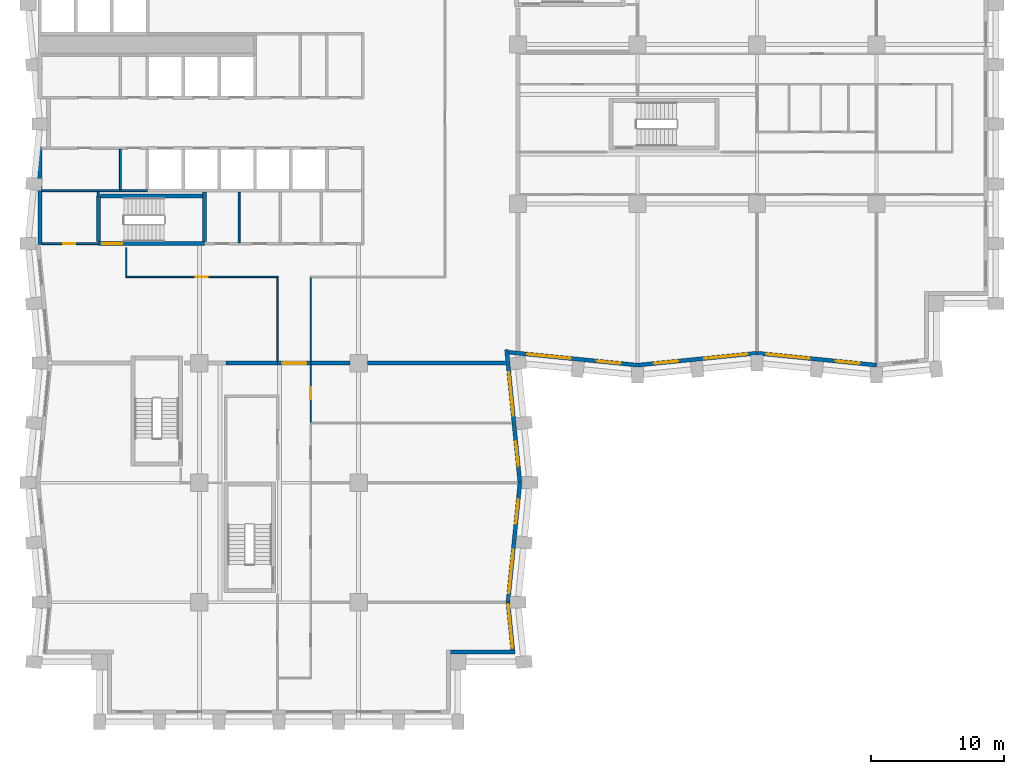
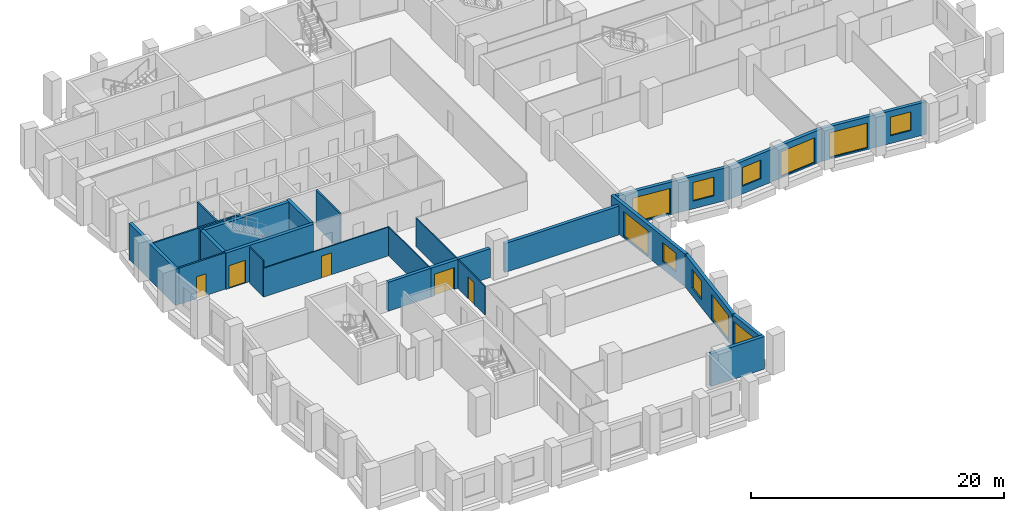
# One storey, part 4 of 11: 26 walls, 11 windows, 5 doors, 16 openings.
"""IFC4 building model written with IfcOpenShell, lengths in metres."""

import ifcopenshell
import ifcopenshell.guid

model = None  # the IFC model being written
_history = None  # IfcOwnerHistory: only IFC2X3 demands one
_inside = {}  # id of a spatial element -> (the spatial element, [elements in it])
_under = {}  # id of a project, library or spatial element -> (it, [spatial elements below it])
_declared = {}  # id of a project -> (the project, [libraries it declares])
_typed = {}  # id of a type object -> (the type object, [elements of that type])
_made_of = {}  # id of a material, layer set ... -> (it, [elements and type objects made of it])


def new_model(schema):
    """Start an empty IFC model of exactly this schema.

    Asked for "IFC4X3", IfcOpenShell would pick the latest addendum, in which some entities
    have other attributes; the version numbers below select the first issue.
    IFC2X3 requires an IfcOwnerHistory on every rooted entity: one is made here for all.
    """
    global model, _history
    if schema == "IFC4X3":
        model = ifcopenshell.file(schema_version=(4, 3, 0, 0))
    else:
        model = ifcopenshell.file(schema=schema)
    _inside.clear()
    _under.clear()
    _declared.clear()
    _typed.clear()
    _made_of.clear()
    _history = None
    if model.schema == "IFC2X3":
        org = make("IfcOrganization", Name="unknown")
        user = make(
            "IfcPersonAndOrganization",
            ThePerson=make("IfcPerson", FamilyName="unknown"),
            TheOrganization=org,
        )
        app = make(
            "IfcApplication",
            ApplicationDeveloper=org,
            Version="unknown",
            ApplicationFullName="unknown",
            ApplicationIdentifier="unknown",
        )
        _history = make(
            "IfcOwnerHistory",
            OwningUser=user,
            OwningApplication=app,
            ChangeAction="ADDED",
            CreationDate=0,
        )
    return model


def make(cls, **values):
    """One entity of the class cls with the attributes given. An attribute that is None is left unset."""
    return model.create_entity(
        cls, **{name: value for name, value in values.items() if value is not None}
    )


def rooted(cls, **values):
    """An entity with a GlobalId (a new one), such as an element, a storey or a relation."""
    return make(cls, GlobalId=ifcopenshell.guid.new(), OwnerHistory=_history, **values)


def si_unit(unit_type, name, prefix=None):
    """IfcSIUnit, for example si_unit("LENGTHUNIT", "METRE", prefix="MILLI")."""
    return make("IfcSIUnit", UnitType=unit_type, Prefix=prefix, Name=name)


def assignment(units):
    """IfcUnitAssignment: the units of a project."""
    return None if units is None else make("IfcUnitAssignment", Units=units)


def point(xyz):
    """IfcCartesianPoint."""
    return None if xyz is None else make("IfcCartesianPoint", Coordinates=xyz)


def direction(xyz):
    """IfcDirection."""
    return None if xyz is None else make("IfcDirection", DirectionRatios=xyz)


def frame(location, z_axis=None, x_axis=None):
    """IfcAxis2Placement3D, a coordinate frame: its origin and axes. An axis left out is left unset."""
    return make(
        "IfcAxis2Placement3D",
        Location=point(location),
        Axis=direction(z_axis),
        RefDirection=direction(x_axis),
    )


def frame_2d(location, x_axis=None):
    """IfcAxis2Placement2D, a coordinate frame in the plane: its origin and x axis."""
    return make(
        "IfcAxis2Placement2D", Location=point(location), RefDirection=direction(x_axis)
    )


def origin():
    """The frame at (0, 0, 0) with its axes left unset."""
    return frame((0.0, 0.0, 0.0))


def place(relative_to, where):
    """IfcLocalPlacement: puts the frame where relative to a parent placement (None: the world)."""
    return make(
        "IfcLocalPlacement", PlacementRelTo=relative_to, RelativePlacement=where
    )


def context(
    kind, dimensions, precision=None, world=None, true_north=None, identifier=None
):
    """IfcGeometricRepresentationContext, for example the 3D "Model" context."""
    return make(
        "IfcGeometricRepresentationContext",
        ContextIdentifier=identifier,
        ContextType=kind,
        CoordinateSpaceDimension=dimensions,
        Precision=precision,
        WorldCoordinateSystem=world,
        TrueNorth=true_north,
    )


def subcontext(parent, identifier, kind, view, scale=None):
    """IfcGeometricRepresentationSubContext, for example "Body" below "Model"."""
    return make(
        "IfcGeometricRepresentationSubContext",
        ContextIdentifier=identifier,
        ContextType=kind,
        ParentContext=parent,
        TargetScale=scale,
        TargetView=view,
    )


def project(units=None, contexts=None):
    """IfcProject with its units and contexts."""
    return rooted(
        "IfcProject",
        Name="project",
        RepresentationContexts=contexts,
        UnitsInContext=assignment(units),
    )


def spatial(cls, under=None, at=None, **own):
    """A site, building, storey or space (cls), placed at a placement, below another one or the project."""
    s = rooted(cls, ObjectPlacement=at, **own)
    if under is not None:
        _under.setdefault(under.id(), (under, []))[1].append(s)
    return s


def profile(cls, at=None, kind="AREA", **sizes):
    """A parametric profile (cls). Its sizes go by their IFC names, for example OverallWidth=200.0."""
    return make(cls, ProfileType=kind, Position=at, **sizes)


def rectangle(**sizes):
    """IfcRectangleProfileDef."""
    return profile("IfcRectangleProfileDef", **sizes)


def extrude(swept, where, along, depth):
    """IfcExtrudedAreaSolid: the profile swept, set in the frame where, extruded along a direction by depth."""
    return make(
        "IfcExtrudedAreaSolid",
        SweptArea=swept,
        Position=where,
        ExtrudedDirection=direction(along),
        Depth=depth,
    )


def shape(context_of_items, identifier, shape_type, items):
    """IfcShapeRepresentation: the items that make up one representation, for example the "Body"."""
    return make(
        "IfcShapeRepresentation",
        ContextOfItems=context_of_items,
        RepresentationIdentifier=identifier,
        RepresentationType=shape_type,
        Items=items,
    )


def material(Name=None, Category=None):
    """IfcMaterial."""
    return make("IfcMaterial", Name=Name, Category=Category)


def layer(
    of_material, thickness, ventilated=None, Name=None, Category=None, Priority=None
):
    """IfcMaterialLayer: one layer of a wall or slab, of a material (None: an air gap)."""
    return make(
        "IfcMaterialLayer",
        Material=of_material,
        LayerThickness=thickness,
        IsVentilated=ventilated,
        Name=Name,
        Category=Category,
        Priority=Priority,
    )


def layer_set(layers, Name=None):
    """IfcMaterialLayerSet."""
    return make("IfcMaterialLayerSet", MaterialLayers=layers, LayerSetName=Name)


def made_of(thing, what):
    """Note that an element or type object is made of a material, layer set ...; save() writes the relation."""
    if what is not None:
        _made_of.setdefault(what.id(), (what, []))[1].append(thing)
    return thing


def type_object(cls, material=None, **own):
    """A type object (cls), such as IfcWallType, which elements share."""
    return made_of(rooted(cls, **own), material)


def element(
    cls,
    number,
    at=None,
    inside=None,
    cuts=None,
    type_object=None,
    material=None,
    context=None,
    identifier="Body",
    shape_type=None,
    held_by="IfcProductDefinitionShape",
    body=None,
    shapes=None,
    **own,
):
    """One element of the class cls, such as IfcWall. Its Tag is "e" and its number.

    at: its placement. inside: the storey or other place that contains it. cuts: it is an
    opening in that element (IfcRelVoidsElement). A single representation is given by context,
    identifier, shape_type and body (its items); several are given by shapes. held_by: the class
    of the entity that holds the representations. save() writes the other relations.
    """
    e = rooted(cls, Tag="e%d" % number, ObjectPlacement=at, **own)
    if body is not None:
        shapes = [shape(context, identifier, shape_type, body)]
    if shapes is not None:
        e.Representation = make(held_by, Representations=shapes)
    if inside is not None:
        _inside.setdefault(inside.id(), (inside, []))[1].append(e)
    if cuts is not None:
        rooted(
            "IfcRelVoidsElement", RelatingBuildingElement=cuts, RelatedOpeningElement=e
        )
    if type_object is not None:
        _typed.setdefault(type_object.id(), (type_object, []))[1].append(e)
    return made_of(e, material)


def fill(opening, filler):
    """IfcRelFillsElement: the door or window that sits in an opening."""
    return rooted(
        "IfcRelFillsElement",
        RelatingOpeningElement=opening,
        RelatedBuildingElement=filler,
    )


def aggregate(whole, parts):
    """IfcRelAggregates: a whole, such as a stair, and the parts it consists of."""
    return rooted("IfcRelAggregates", RelatingObject=whole, RelatedObjects=parts)


def save(model, path):
    """Write the relations noted so far, then the file.

    IfcRelAggregates (storeys below a building ...), IfcRelContainedInSpatialStructure (elements
    in a storey), IfcRelDefinesByType, IfcRelAssociatesMaterial and IfcRelDeclares: one each for
    every whole, place, type object, material and project.
    """
    for whole, parts in _under.values():
        aggregate(whole, parts)
    for where, things in _inside.values():
        rooted(
            "IfcRelContainedInSpatialStructure",
            RelatedElements=things,
            RelatingStructure=where,
        )
    for kind, things in _typed.values():
        rooted("IfcRelDefinesByType", RelatedObjects=things, RelatingType=kind)
    for what, things in _made_of.values():
        rooted("IfcRelAssociatesMaterial", RelatedObjects=things, RelatingMaterial=what)
    for by, libraries in _declared.values():
        rooted("IfcRelDeclares", RelatingContext=by, RelatedDefinitions=libraries)
    model.write(path)


model = new_model("IFC4")

# Units and contexts
model_context = context("Model", 3, precision=1e-05, world=origin(), true_north=direction((0.0, 1.0)))
body_context = subcontext(model_context, "Body", "Model", "MODEL_VIEW")
ifc_project = project(units=[si_unit("LENGTHUNIT", "METRE"), si_unit("AREAUNIT", "SQUARE_METRE"), si_unit("VOLUMEUNIT", "CUBIC_METRE"), si_unit("PLANEANGLEUNIT", "RADIAN"), si_unit("MASSUNIT", "GRAM", prefix="KILO")], contexts=[model_context])

# Site, building, storey
site_placement = place(None, origin())
site = spatial("IfcSite", under=ifc_project, at=site_placement, CompositionType="ELEMENT")
building_placement = place(site_placement, origin())
building = spatial("IfcBuilding", under=site, at=building_placement, Name="Brondeck Convention Tower", CompositionType="ELEMENT")
storey_placement = place(building_placement, frame((0.0, 0.0, 103.699951171875)))
storey = spatial("IfcBuildingStorey", under=building, at=storey_placement, Name="L24", CompositionType="ELEMENT", Elevation=103.699951171875)

# Wall
ifc_material_1 = material(Name="Concrete compartment wall C30/37", Category="concrete")
ifc_layer_1 = layer(ifc_material_1, 0.300048828125)
ifc_layer_set_1 = layer_set([ifc_layer_1], Name="Compartment wall 300")
wall_type_1 = type_object("IfcWallType", Name="Compartment wall 300", PredefinedType="PARTITIONING", material=ifc_layer_set_1)
wall_1_placement = place(storey_placement, frame((14.0, 27.0, 0.0), z_axis=(0.0, 0.0, 1.0), x_axis=(1.0, 0.0, 0.0)))
element("IfcWall", 1, at=wall_1_placement, inside=storey, type_object=wall_type_1, Name="FLR-L24-W022", PredefinedType="PARTITIONING", context=body_context, shape_type="SweptSolid", body=[
    extrude(rectangle(XDim=3.89990234375, YDim=0.300048828125, at=frame_2d((1.949951171875, 0.0))), origin(), (0.0, 0.0, 1.0), 2.780029296875),
])

# Wall, opening, door
wall_2_placement = place(storey_placement, frame((20.39990234375, 27.0, 0.0), z_axis=(0.0, 0.0, 1.0), x_axis=(-1.0, 0.0, 0.0)))
wall_2 = element("IfcWall", 2, at=wall_2_placement, inside=storey, type_object=wall_type_1, Name="FLR-L24-W023", PredefinedType="PARTITIONING", context=body_context, shape_type="SweptSolid", body=[
    extrude(rectangle(XDim=2.5, YDim=0.300048828125, at=frame_2d((1.25, 0.0))), origin(), (0.0, 0.0, 1.0), 2.780029296875),
])
opening_1_placement = place(wall_2_placement, frame((0.35009765625, 0.0, 0.0)))
opening_1 = element("IfcOpeningElement", 3, at=opening_1_placement, cuts=wall_2, Name="Opening OF-B-021", PredefinedType="OPENING", context=body_context, shape_type="SweptSolid", body=[
    extrude(rectangle(XDim=1.800048828125, YDim=2.10009765625, at=frame_2d((0.89990234375, 1.050048828125))), frame((0.0, 0.159912109375, 0.0), z_axis=(0.0, -1.0, 0.0), x_axis=(1.0, 0.0, 0.0)), (0.0, 0.0, 1.0), 0.320068359375),
])
ifc_material_2 = material(Name="Steel fire door pair", Category="steel")
door_type_1 = type_object("IfcDoorType", Name="Fire door pair 1800", OperationType="DOUBLE_DOOR_SINGLE_SWING", PredefinedType="DOOR", material=ifc_material_2)
door_1_placement = place(opening_1_placement, origin())
door_1 = element("IfcDoor", 4, at=door_1_placement, inside=storey, type_object=door_type_1, Name="Door OF-B-021", OperationType="DOUBLE_DOOR_SINGLE_SWING", OverallHeight=2.10009765625, OverallWidth=1.800048828125, PredefinedType="DOOR", context=body_context, shape_type="SweptSolid", body=[
    extrude(rectangle(XDim=1.800048828125, YDim=2.10009765625, at=frame_2d((0.89990234375, 1.050048828125))), frame((0.0, 0.02490234375, 0.0), z_axis=(0.0, -1.0, 0.0), x_axis=(1.0, 0.0, 0.0)), (0.0, 0.0, 1.0), 0.050048828125),
])
fill(opening_1, door_1)

# Walls
wall_3_placement = place(storey_placement, frame((20.39990234375, 27.0, 0.0), z_axis=(0.0, 0.0, 1.0), x_axis=(1.0, 0.0, 0.0)))
element("IfcWall", 5, at=wall_3_placement, inside=storey, type_object=wall_type_1, Name="FLR-L24-W024", PredefinedType="PARTITIONING", context=body_context, shape_type="SweptSolid", body=[
    extrude(rectangle(XDim=2.945068359375, YDim=0.300048828125, at=frame_2d((1.47265625, 0.0))), origin(), (0.0, 0.0, 1.0), 2.780029296875),
])
wall_4_placement = place(storey_placement, frame((24.655029296875, 27.0, 0.0), z_axis=(0.0, 0.0, 1.0), x_axis=(1.0, 0.0, 0.0)))
element("IfcWall", 6, at=wall_4_placement, inside=storey, type_object=wall_type_1, Name="FLR-L24-W025", PredefinedType="PARTITIONING", context=body_context, shape_type="SweptSolid", body=[
    extrude(rectangle(XDim=10.42041015625, YDim=0.300048828125, at=frame_2d((5.210205078125, 0.0))), origin(), (0.0, 0.0, 1.0), 2.780029296875),
])
ifc_material_3 = material(Name="Concrete C70/85", Category="concrete")
ifc_layer_2 = layer(ifc_material_3, 0.300048828125)
ifc_layer_set_2 = layer_set([ifc_layer_2], Name="Core outer wall 300 Concrete C70/85")
wall_type_2 = type_object("IfcWallType", Name="Core outer wall 300 Concrete C70/85", PredefinedType="SHEAR", material=ifc_layer_set_2)
wall_5_placement = place(storey_placement, frame((0.0, 35.925048828125, 0.0), z_axis=(0.0, 0.0, 1.0), x_axis=(0.0, 1.0, 0.0)))
element("IfcWall", 7, at=wall_5_placement, inside=storey, type_object=wall_type_2, Name="L24 core wall", PredefinedType="SHEAR", context=body_context, shape_type="SweptSolid", body=[
    extrude(rectangle(XDim=7.349853515625, YDim=0.300048828125, at=frame_2d((3.6748046875, 0.0))), origin(), (0.0, 0.0, 1.0), 3.5),
])

# Wall, opening, door
ifc_material_4 = material(Name="Fire-rated gypsum board partition")
ifc_layer_3 = layer(ifc_material_4, 0.14990234375)
ifc_layer_set_3 = layer_set([ifc_layer_3], Name="Core partition 150 EI 60")
wall_type_3 = type_object("IfcWallType", Name="Core partition 150 EI 60", PredefinedType="PARTITIONING", material=ifc_layer_set_3)
wall_6_placement = place(storey_placement, frame((0.14990234375, 36.0, 0.0), z_axis=(0.0, 0.0, 1.0), x_axis=(1.0, 0.0, 0.0)))
wall_6 = element("IfcWall", 8, at=wall_6_placement, inside=storey, type_object=wall_type_3, Name="L24 core wall", PredefinedType="PARTITIONING", context=body_context, shape_type="SweptSolid", body=[
    extrude(rectangle(XDim=4.25, YDim=0.14990234375, at=frame_2d((2.125, 0.0))), origin(), (0.0, 0.0, 1.0), 3.5),
])
opening_2_placement = place(wall_6_placement, frame((1.60009765625, 0.0, 0.0)))
opening_2 = element("IfcOpeningElement", 9, at=opening_2_placement, cuts=wall_6, Name="Opening C15-07", PredefinedType="OPENING", context=body_context, shape_type="SweptSolid", body=[
    extrude(rectangle(XDim=0.89990234375, YDim=2.10009765625, at=frame_2d((0.449951171875, 1.050048828125))), frame((0.0, 0.0849609375, 0.0), z_axis=(0.0, -1.0, 0.0), x_axis=(1.0, 0.0, 0.0)), (0.0, 0.0, 1.0), 0.169921875),
])
ifc_material_5 = material(Name="Steel fire door", Category="steel")
door_type_2 = type_object("IfcDoorType", Name="Room door 900x2100 EI 60", OperationType="NOTDEFINED", PredefinedType="DOOR", material=ifc_material_5)
door_2_placement = place(opening_2_placement, origin())
door_2 = element("IfcDoor", 10, at=door_2_placement, inside=storey, type_object=door_type_2, Name="L24 Room door FRW-1", OperationType="SINGLE_SWING_LEFT", OverallHeight=2.10009765625, OverallWidth=0.89990234375, PredefinedType="DOOR", context=body_context, shape_type="SweptSolid", body=[
    extrude(rectangle(XDim=0.89990234375, YDim=2.10009765625, at=frame_2d((0.449951171875, 1.050048828125))), frame((0.0, 0.02490234375, 0.0), z_axis=(0.0, -1.0, 0.0), x_axis=(1.0, 0.0, 0.0)), (0.0, 0.0, 1.0), 0.050048828125),
])
fill(opening_2, door_2)

# Walls
wall_7_placement = place(storey_placement, frame((0.14990234375, 40.0, 0.0), z_axis=(0.0, 0.0, 1.0), x_axis=(1.0, 0.0, 0.0)))
element("IfcWall", 11, at=wall_7_placement, inside=storey, type_object=wall_type_3, Name="L24 core wall", PredefinedType="PARTITIONING", context=body_context, shape_type="SweptSolid", body=[
    extrude(rectangle(XDim=7.9501953125, YDim=0.14990234375, at=frame_2d((3.97509765625, 0.0))), origin(), (0.0, 0.0, 1.0), 3.5),
])
wall_8_placement = place(storey_placement, frame((4.39990234375, 39.60009765625, 0.0), z_axis=(0.0, 0.0, 1.0), x_axis=(0.0, 1.0, 0.0)))
element("IfcWall", 12, at=wall_8_placement, inside=storey, type_object=wall_type_3, Name="L24 core wall", PredefinedType="PARTITIONING", context=body_context, shape_type="SweptSolid", body=[
    extrude(rectangle(XDim=0.324951171875, YDim=0.14990234375, at=frame_2d((0.16259765625, 0.0))), origin(), (0.0, 0.0, 1.0), 3.5),
])
wall_9_placement = place(storey_placement, frame((6.050048828125, 40.074951171875, 0.0), z_axis=(0.0, 0.0, 1.0), x_axis=(0.0, 1.0, 0.0)))
element("IfcWall", 13, at=wall_9_placement, inside=storey, type_object=wall_type_3, Name="L24 core wall", PredefinedType="PARTITIONING", context=body_context, shape_type="SweptSolid", body=[
    extrude(rectangle(XDim=3.050048828125, YDim=0.14990234375, at=frame_2d((1.52490234375, 0.0))), origin(), (0.0, 0.0, 1.0), 3.5),
])
wall_10_placement = place(storey_placement, frame((15.0, 36.074951171875, 0.0), z_axis=(0.0, 0.0, 1.0), x_axis=(0.0, 1.0, 0.0)))
element("IfcWall", 14, at=wall_10_placement, inside=storey, type_object=wall_type_3, Name="L24 core wall", PredefinedType="PARTITIONING", context=body_context, shape_type="SweptSolid", body=[
    extrude(rectangle(XDim=3.800048828125, YDim=0.14990234375, at=frame_2d((1.89990234375, 0.0))), origin(), (0.0, 0.0, 1.0), 3.5),
])
ifc_material_6 = material(Name="Precast concrete C50/60 bronze finish", Category="concrete")
ifc_layer_4 = layer(ifc_material_6, 0.070068359375, Name="Bronze precast facing")
ifc_material_7 = material(Name="Mineral wool")
ifc_layer_5 = layer(ifc_material_7, 0.159912109375, Name="Insulation")
ifc_material_8 = material(Name="Concrete C35/45", Category="concrete")
ifc_layer_6 = layer(ifc_material_8, 0.070068359375, Name="Backing")
ifc_layer_set_4 = layer_set([ifc_layer_4, ifc_layer_5, ifc_layer_6], Name="External infill wall, precast concrete C50/60 bronze facing")
wall_type_4 = type_object("IfcWallType", Name="External infill wall, precast concrete C50/60 bronze facing", PredefinedType="SOLIDWALL", material=ifc_layer_set_4)
wall_11_placement = place(storey_placement, frame((35.787109375, 5.25, 0.0), z_axis=(0.0, 0.0, 1.0), x_axis=(-1.0, 0.0, 0.0)))
element("IfcWall", 15, at=wall_11_placement, inside=storey, type_object=wall_type_4, Name="ENV-EW-L24-P0-NC-SEB0-02", PredefinedType="SOLIDWALL", context=body_context, shape_type="SweptSolid", body=[
    extrude(rectangle(XDim=4.88720703125, YDim=0.300048828125, at=frame_2d((2.443603515625, 0.0))), origin(), (0.0, 0.0, 1.0), 3.150146484375),
])

# Wall, opening, window
wall_12_placement = place(storey_placement, frame((35.244873046875, 9.014892578125, 0.0), z_axis=(0.0, 0.0, 1.0), x_axis=(0.099470401798, -0.995040521369, 0.0)))
wall_12 = element("IfcWall", 16, at=wall_12_placement, inside=storey, type_object=wall_type_4, Name="ENV-EW-L24-P0-B-E-04", PredefinedType="SOLIDWALL", context=body_context, shape_type="SweptSolid", body=[
    extrude(rectangle(XDim=3.627685546875, YDim=0.300048828125, at=frame_2d((1.81396484375, 0.0))), origin(), (0.0, 0.0, 1.0), 3.150146484375),
])
opening_3_placement = place(wall_12_placement, frame((0.177734375, 0.0, 0.14990234375)))
opening_3 = element("IfcOpeningElement", 17, at=opening_3_placement, cuts=wall_12, Name="Opening W9", PredefinedType="OPENING", context=body_context, shape_type="SweptSolid", body=[
    extrude(rectangle(XDim=3.300048828125, YDim=2.39990234375, at=frame_2d((1.64990234375, 1.199951171875))), frame((0.0, 0.159912109375, 0.0), z_axis=(0.0, -1.0, 0.0), x_axis=(1.0, 0.0, 0.0)), (0.0, 0.0, 1.0), 0.320068359375),
])
ifc_material_9 = material(Name="Bronze tinted double glazing", Category="glass")
window_type_1 = type_object("IfcWindowType", Name="Glazed flute window, bronze tinted", PartitioningType="SINGLE_PANEL", PredefinedType="WINDOW", material=ifc_material_9)
window_1_placement = place(opening_3_placement, origin())
window_1 = element("IfcWindow", 18, at=window_1_placement, inside=storey, type_object=window_type_1, Name="ENV-WN-L24-P0-B-E-04", OverallHeight=2.39990234375, OverallWidth=3.300048828125, PartitioningType="SINGLE_PANEL", PredefinedType="WINDOW", context=body_context, shape_type="SweptSolid", body=[
    extrude(rectangle(XDim=3.300048828125, YDim=2.39990234375, at=frame_2d((1.64990234375, 1.199951171875))), frame((0.0, 0.030029296875, 0.0), z_axis=(0.0, -1.0, 0.0), x_axis=(1.0, 0.0, 0.0)), (0.0, 0.0, 1.0), 0.06005859375),
])
fill(opening_3, window_1)

# Wall, openings, windows
wall_13_placement = place(storey_placement, frame((36.147705078125, 18.014892578125, 0.0), z_axis=(0.0, 0.0, 1.0), x_axis=(-0.099495688264, -0.995037993253, 0.0)))
wall_13 = element("IfcWall", 19, at=wall_13_placement, inside=storey, type_object=wall_type_4, Name="ENV-EW-L24-P0-B-E-03", PredefinedType="SOLIDWALL", context=body_context, shape_type="SweptSolid", body=[
    extrude(rectangle(XDim=9.030029296875, YDim=0.300048828125, at=frame_2d((4.51513671875, 0.0))), origin(), (0.0, 0.0, 1.0), 3.150146484375),
])
opening_4_placement = place(wall_13_placement, frame((1.30126953125, 0.0, 0.75)))
opening_4 = element("IfcOpeningElement", 20, at=opening_4_placement, cuts=wall_13, Name="Opening W10", PredefinedType="OPENING", context=body_context, shape_type="SweptSolid", body=[
    extrude(rectangle(XDim=1.800048828125, YDim=1.800048828125, at=frame_2d((0.89990234375, 0.89990234375))), frame((0.0, 0.159912109375, 0.0), z_axis=(0.0, -1.0, 0.0), x_axis=(1.0, 0.0, 0.0)), (0.0, 0.0, 1.0), 0.320068359375),
])
opening_5_placement = place(wall_13_placement, frame((5.073486328125, 0.0, 0.14990234375)))
opening_5 = element("IfcOpeningElement", 21, at=opening_5_placement, cuts=wall_13, Name="Opening W9", PredefinedType="OPENING", context=body_context, shape_type="SweptSolid", body=[
    extrude(rectangle(XDim=3.300048828125, YDim=2.39990234375, at=frame_2d((1.64990234375, 1.199951171875))), frame((0.0, 0.159912109375, 0.0), z_axis=(0.0, -1.0, 0.0), x_axis=(1.0, 0.0, 0.0)), (0.0, 0.0, 1.0), 0.320068359375),
])
window_2_placement = place(opening_5_placement, origin())
window_2 = element("IfcWindow", 22, at=window_2_placement, inside=storey, type_object=window_type_1, Name="ENV-WN-L24-P0-B-E-03", OverallHeight=2.39990234375, OverallWidth=3.300048828125, PartitioningType="SINGLE_PANEL", PredefinedType="WINDOW", context=body_context, shape_type="SweptSolid", body=[
    extrude(rectangle(XDim=3.300048828125, YDim=2.39990234375, at=frame_2d((1.64990234375, 1.199951171875))), frame((0.0, 0.030029296875, 0.0), z_axis=(0.0, -1.0, 0.0), x_axis=(1.0, 0.0, 0.0)), (0.0, 0.0, 1.0), 0.06005859375),
])
fill(opening_5, window_2)
window_type_2 = type_object("IfcWindowType", Name="Punched window, bronze tinted", PartitioningType="SINGLE_PANEL", PredefinedType="WINDOW", material=ifc_material_9)
window_3_placement = place(opening_4_placement, origin())
window_3 = element("IfcWindow", 23, at=window_3_placement, inside=storey, type_object=window_type_2, Name="ENV-WN-L24-P0-B-E-02", OverallHeight=1.800048828125, OverallWidth=1.800048828125, PartitioningType="SINGLE_PANEL", PredefinedType="WINDOW", context=body_context, shape_type="SweptSolid", body=[
    extrude(rectangle(XDim=1.800048828125, YDim=1.800048828125, at=frame_2d((0.89990234375, 0.89990234375))), frame((0.0, 0.030029296875, 0.0), z_axis=(0.0, -1.0, 0.0), x_axis=(1.0, 0.0, 0.0)), (0.0, 0.0, 1.0), 0.06005859375),
])
fill(opening_4, window_3)

wall_14_placement = place(storey_placement, frame((35.144287109375, 28.02001953125, 0.0), z_axis=(0.0, 0.0, 1.0), x_axis=(0.099503719021, -0.99503719021, 0.0)))
wall_14 = element("IfcWall", 24, at=wall_14_placement, inside=storey, type_object=wall_type_4, Name="ENV-EW-L24-P0-B-E-01", PredefinedType="SOLIDWALL", context=body_context, shape_type="SweptSolid", body=[
    extrude(rectangle(XDim=10.0400390625, YDim=0.300048828125, at=frame_2d((5.02001953125, 0.0))), origin(), (0.0, 0.0, 1.0), 3.150146484375),
])
opening_6_placement = place(wall_14_placement, frame((1.711181640625, 0.0, 0.14990234375)))
opening_6 = element("IfcOpeningElement", 25, at=opening_6_placement, cuts=wall_14, Name="Opening W9", PredefinedType="OPENING", context=body_context, shape_type="SweptSolid", body=[
    extrude(rectangle(XDim=3.300048828125, YDim=2.39990234375, at=frame_2d((1.64990234375, 1.199951171875))), frame((0.0, 0.159912109375, 0.0), z_axis=(0.0, -1.0, 0.0), x_axis=(1.0, 0.0, 0.0)), (0.0, 0.0, 1.0), 0.320068359375),
])
opening_7_placement = place(wall_14_placement, frame((6.983642578125, 0.0, 0.75)))
opening_7 = element("IfcOpeningElement", 26, at=opening_7_placement, cuts=wall_14, Name="Opening W10", PredefinedType="OPENING", context=body_context, shape_type="SweptSolid", body=[
    extrude(rectangle(XDim=1.800048828125, YDim=1.800048828125, at=frame_2d((0.89990234375, 0.89990234375))), frame((0.0, 0.159912109375, 0.0), z_axis=(0.0, -1.0, 0.0), x_axis=(1.0, 0.0, 0.0)), (0.0, 0.0, 1.0), 0.320068359375),
])
window_4_placement = place(opening_6_placement, origin())
window_4 = element("IfcWindow", 27, at=window_4_placement, inside=storey, type_object=window_type_1, Name="ENV-WN-L24-P0-B-E-00", OverallHeight=2.39990234375, OverallWidth=3.300048828125, PartitioningType="SINGLE_PANEL", PredefinedType="WINDOW", context=body_context, shape_type="SweptSolid", body=[
    extrude(rectangle(XDim=3.300048828125, YDim=2.39990234375, at=frame_2d((1.64990234375, 1.199951171875))), frame((0.0, 0.030029296875, 0.0), z_axis=(0.0, -1.0, 0.0), x_axis=(1.0, 0.0, 0.0)), (0.0, 0.0, 1.0), 0.06005859375),
])
fill(opening_6, window_4)
window_5_placement = place(opening_7_placement, origin())
window_5 = element("IfcWindow", 28, at=window_5_placement, inside=storey, type_object=window_type_2, Name="ENV-WN-L24-P0-B-E-01", OverallHeight=1.800048828125, OverallWidth=1.800048828125, PartitioningType="SINGLE_PANEL", PredefinedType="WINDOW", context=body_context, shape_type="SweptSolid", body=[
    extrude(rectangle(XDim=1.800048828125, YDim=1.800048828125, at=frame_2d((0.89990234375, 0.89990234375))), frame((0.0, 0.030029296875, 0.0), z_axis=(0.0, -1.0, 0.0), x_axis=(1.0, 0.0, 0.0)), (0.0, 0.0, 1.0), 0.06005859375),
])
fill(opening_7, window_5)

wall_15_placement = place(storey_placement, frame((45.014892578125, 26.852294921875, 0.0), z_axis=(0.0, 0.0, 1.0), x_axis=(-0.995037438546, 0.099501235631, 0.0)))
wall_15 = element("IfcWall", 29, at=wall_15_placement, inside=storey, type_object=wall_type_4, Name="ENV-EW-L24-P0-A-S-00", PredefinedType="SOLIDWALL", context=body_context, shape_type="SweptSolid", body=[
    extrude(rectangle(XDim=9.733642578125, YDim=0.300048828125, at=frame_2d((4.86669921875, 0.0))), origin(), (0.0, 0.0, 1.0), 3.150146484375),
])
opening_8_placement = place(wall_15_placement, frame((1.30126953125, 0.0, 0.75)))
opening_8 = element("IfcOpeningElement", 30, at=opening_8_placement, cuts=wall_15, Name="Opening W10", PredefinedType="OPENING", context=body_context, shape_type="SweptSolid", body=[
    extrude(rectangle(XDim=1.800048828125, YDim=1.800048828125, at=frame_2d((0.89990234375, 0.89990234375))), frame((0.0, 0.159912109375, 0.0), z_axis=(0.0, -1.0, 0.0), x_axis=(1.0, 0.0, 0.0)), (0.0, 0.0, 1.0), 0.320068359375),
])
opening_9_placement = place(wall_15_placement, frame((5.073486328125, 0.0, 0.14990234375)))
opening_9 = element("IfcOpeningElement", 31, at=opening_9_placement, cuts=wall_15, Name="Opening W9", PredefinedType="OPENING", context=body_context, shape_type="SweptSolid", body=[
    extrude(rectangle(XDim=3.300048828125, YDim=2.39990234375, at=frame_2d((1.64990234375, 1.199951171875))), frame((0.0, 0.159912109375, 0.0), z_axis=(0.0, -1.0, 0.0), x_axis=(1.0, 0.0, 0.0)), (0.0, 0.0, 1.0), 0.320068359375),
])
window_6_placement = place(opening_9_placement, origin())
window_6 = element("IfcWindow", 32, at=window_6_placement, inside=storey, type_object=window_type_1, Name="ENV-WN-L24-P0-A-S-00", OverallHeight=2.39990234375, OverallWidth=3.300048828125, PartitioningType="SINGLE_PANEL", PredefinedType="WINDOW", context=body_context, shape_type="SweptSolid", body=[
    extrude(rectangle(XDim=3.300048828125, YDim=2.39990234375, at=frame_2d((1.64990234375, 1.199951171875))), frame((0.0, 0.030029296875, 0.0), z_axis=(0.0, -1.0, 0.0), x_axis=(1.0, 0.0, 0.0)), (0.0, 0.0, 1.0), 0.06005859375),
])
fill(opening_9, window_6)
window_7_placement = place(opening_8_placement, origin())
window_7 = element("IfcWindow", 33, at=window_7_placement, inside=storey, type_object=window_type_2, Name="ENV-WN-L24-P0-A-S-01", OverallHeight=1.800048828125, OverallWidth=1.800048828125, PartitioningType="SINGLE_PANEL", PredefinedType="WINDOW", context=body_context, shape_type="SweptSolid", body=[
    extrude(rectangle(XDim=1.800048828125, YDim=1.800048828125, at=frame_2d((0.89990234375, 0.89990234375))), frame((0.0, 0.030029296875, 0.0), z_axis=(0.0, -1.0, 0.0), x_axis=(1.0, 0.0, 0.0)), (0.0, 0.0, 1.0), 0.06005859375),
])
fill(opening_8, window_7)

wall_16_placement = place(storey_placement, frame((54.014892578125, 27.755126953125, 0.0), z_axis=(0.0, 0.0, 1.0), x_axis=(-0.995037993253, -0.099495688264, 0.0)))
wall_16 = element("IfcWall", 34, at=wall_16_placement, inside=storey, type_object=wall_type_4, Name="ENV-EW-L24-P0-A-S-02", PredefinedType="SOLIDWALL", context=body_context, shape_type="SweptSolid", body=[
    extrude(rectangle(XDim=9.030029296875, YDim=0.300048828125, at=frame_2d((4.51513671875, 0.0))), origin(), (0.0, 0.0, 1.0), 3.150146484375),
])
opening_10_placement = place(wall_16_placement, frame((0.701171875, 0.0, 0.14990234375)))
opening_10 = element("IfcOpeningElement", 35, at=opening_10_placement, cuts=wall_16, Name="Opening W9", PredefinedType="OPENING", context=body_context, shape_type="SweptSolid", body=[
    extrude(rectangle(XDim=3.300048828125, YDim=2.39990234375, at=frame_2d((1.64990234375, 1.199951171875))), frame((0.0, 0.159912109375, 0.0), z_axis=(0.0, -1.0, 0.0), x_axis=(1.0, 0.0, 0.0)), (0.0, 0.0, 1.0), 0.320068359375),
])
opening_11_placement = place(wall_16_placement, frame((5.9736328125, 0.0, 0.75)))
opening_11 = element("IfcOpeningElement", 36, at=opening_11_placement, cuts=wall_16, Name="Opening W10", PredefinedType="OPENING", context=body_context, shape_type="SweptSolid", body=[
    extrude(rectangle(XDim=1.800048828125, YDim=1.800048828125, at=frame_2d((0.89990234375, 0.89990234375))), frame((0.0, 0.159912109375, 0.0), z_axis=(0.0, -1.0, 0.0), x_axis=(1.0, 0.0, 0.0)), (0.0, 0.0, 1.0), 0.320068359375),
])
window_8_placement = place(opening_10_placement, origin())
window_8 = element("IfcWindow", 37, at=window_8_placement, inside=storey, type_object=window_type_1, Name="ENV-WN-L24-P0-A-S-03", OverallHeight=2.39990234375, OverallWidth=3.300048828125, PartitioningType="SINGLE_PANEL", PredefinedType="WINDOW", context=body_context, shape_type="SweptSolid", body=[
    extrude(rectangle(XDim=3.300048828125, YDim=2.39990234375, at=frame_2d((1.64990234375, 1.199951171875))), frame((0.0, 0.030029296875, 0.0), z_axis=(0.0, -1.0, 0.0), x_axis=(1.0, 0.0, 0.0)), (0.0, 0.0, 1.0), 0.06005859375),
])
fill(opening_10, window_8)
window_9_placement = place(opening_11_placement, origin())
window_9 = element("IfcWindow", 38, at=window_9_placement, inside=storey, type_object=window_type_2, Name="ENV-WN-L24-P0-A-S-02", OverallHeight=1.800048828125, OverallWidth=1.800048828125, PartitioningType="SINGLE_PANEL", PredefinedType="WINDOW", context=body_context, shape_type="SweptSolid", body=[
    extrude(rectangle(XDim=1.800048828125, YDim=1.800048828125, at=frame_2d((0.89990234375, 0.89990234375))), frame((0.0, 0.030029296875, 0.0), z_axis=(0.0, -1.0, 0.0), x_axis=(1.0, 0.0, 0.0)), (0.0, 0.0, 1.0), 0.06005859375),
])
fill(opening_11, window_9)

wall_17_placement = place(storey_placement, frame((63.014892578125, 26.852294921875, 0.0), z_axis=(0.0, 0.0, 1.0), x_axis=(-0.995037993253, 0.099495688264, 0.0)))
wall_17 = element("IfcWall", 39, at=wall_17_placement, inside=storey, type_object=wall_type_4, Name="ENV-EW-L24-P0-A-S-04", PredefinedType="SOLIDWALL", context=body_context, shape_type="SweptSolid", body=[
    extrude(rectangle(XDim=9.030029296875, YDim=0.300048828125, at=frame_2d((4.51513671875, 0.0))), origin(), (0.0, 0.0, 1.0), 3.150146484375),
])
opening_12_placement = place(wall_17_placement, frame((1.30126953125, 0.0, 0.75)))
opening_12 = element("IfcOpeningElement", 40, at=opening_12_placement, cuts=wall_17, Name="Opening W10", PredefinedType="OPENING", context=body_context, shape_type="SweptSolid", body=[
    extrude(rectangle(XDim=1.800048828125, YDim=1.800048828125, at=frame_2d((0.89990234375, 0.89990234375))), frame((0.0, 0.159912109375, 0.0), z_axis=(0.0, -1.0, 0.0), x_axis=(1.0, 0.0, 0.0)), (0.0, 0.0, 1.0), 0.320068359375),
])
opening_13_placement = place(wall_17_placement, frame((5.073486328125, 0.0, 0.14990234375)))
opening_13 = element("IfcOpeningElement", 41, at=opening_13_placement, cuts=wall_17, Name="Opening W9", PredefinedType="OPENING", context=body_context, shape_type="SweptSolid", body=[
    extrude(rectangle(XDim=3.300048828125, YDim=2.39990234375, at=frame_2d((1.64990234375, 1.199951171875))), frame((0.0, 0.159912109375, 0.0), z_axis=(0.0, -1.0, 0.0), x_axis=(1.0, 0.0, 0.0)), (0.0, 0.0, 1.0), 0.320068359375),
])
window_10_placement = place(opening_13_placement, origin())
window_10 = element("IfcWindow", 42, at=window_10_placement, inside=storey, type_object=window_type_1, Name="ENV-WN-L24-P0-A-S-04", OverallHeight=2.39990234375, OverallWidth=3.300048828125, PartitioningType="SINGLE_PANEL", PredefinedType="WINDOW", context=body_context, shape_type="SweptSolid", body=[
    extrude(rectangle(XDim=3.300048828125, YDim=2.39990234375, at=frame_2d((1.64990234375, 1.199951171875))), frame((0.0, 0.030029296875, 0.0), z_axis=(0.0, -1.0, 0.0), x_axis=(1.0, 0.0, 0.0)), (0.0, 0.0, 1.0), 0.06005859375),
])
fill(opening_13, window_10)
window_11_placement = place(opening_12_placement, origin())
window_11 = element("IfcWindow", 43, at=window_11_placement, inside=storey, type_object=window_type_2, Name="ENV-WN-L24-P0-A-S-05", OverallHeight=1.800048828125, OverallWidth=1.800048828125, PartitioningType="SINGLE_PANEL", PredefinedType="WINDOW", context=body_context, shape_type="SweptSolid", body=[
    extrude(rectangle(XDim=1.800048828125, YDim=1.800048828125, at=frame_2d((0.89990234375, 0.89990234375))), frame((0.0, 0.030029296875, 0.0), z_axis=(0.0, -1.0, 0.0), x_axis=(1.0, 0.0, 0.0)), (0.0, 0.0, 1.0), 0.06005859375),
])
fill(opening_12, window_11)

# Wall, opening, door
ifc_material_10 = material(Name="Gypsum board partition on steel studs", Category="steel")
ifc_layer_7 = layer(ifc_material_10, 0.10009765625)
ifc_layer_set_5 = layer_set([ifc_layer_7], Name="Room partition 100")
wall_type_5 = type_object("IfcWallType", Name="Room partition 100", PredefinedType="PARTITIONING", material=ifc_layer_set_5)
wall_18_placement = place(storey_placement, frame((20.39990234375, 26.830078125, 0.0), z_axis=(0.0, 0.0, 1.0), x_axis=(0.0, -1.0, 0.0)))
wall_18 = element("IfcWall", 44, at=wall_18_placement, inside=storey, type_object=wall_type_5, Name="FLR-L24-W018", PredefinedType="PARTITIONING", context=body_context, shape_type="SweptSolid", body=[
    extrude(rectangle(XDim=4.280029296875, YDim=0.10009765625, at=frame_2d((2.14013671875, 0.0))), origin(), (0.0, 0.0, 1.0), 2.780029296875),
])
opening_14_placement = place(wall_18_placement, frame((1.6298828125, 0.0, 0.0)))
opening_14 = element("IfcOpeningElement", 45, at=opening_14_placement, cuts=wall_18, Name="Opening OF-B-014", PredefinedType="OPENING", context=body_context, shape_type="SweptSolid", body=[
    extrude(rectangle(XDim=0.89990234375, YDim=2.10009765625, at=frame_2d((0.449951171875, 1.050048828125))), frame((0.0, 0.06005859375, 0.0), z_axis=(0.0, -1.0, 0.0), x_axis=(1.0, 0.0, 0.0)), (0.0, 0.0, 1.0), 0.1201171875),
])
ifc_material_11 = material(Name="Solid timber door leaf", Category="wood")
door_type_3 = type_object("IfcDoorType", Name="Single door 900", OperationType="NOTDEFINED", PredefinedType="DOOR", material=ifc_material_11)
door_3_placement = place(opening_14_placement, origin())
door_3 = element("IfcDoor", 46, at=door_3_placement, inside=storey, type_object=door_type_3, Name="Door OF-B-014", OperationType="SINGLE_SWING_LEFT", OverallHeight=2.10009765625, OverallWidth=0.89990234375, PredefinedType="DOOR", context=body_context, shape_type="SweptSolid", body=[
    extrude(rectangle(XDim=0.89990234375, YDim=2.10009765625, at=frame_2d((0.449951171875, 1.050048828125))), frame((0.0, 0.02490234375, 0.0), z_axis=(0.0, -1.0, 0.0), x_axis=(1.0, 0.0, 0.0)), (0.0, 0.0, 1.0), 0.050048828125),
])
fill(opening_14, door_3)

# Walls
for number, where, z_axis, x_axis, name in (
    (47, (17.89990234375, 27.169921875, 0.0), (0.0, 0.0, 1.0), (0.0, 1.0, 0.0), "FLR-L24-W026"),
    (48, (20.39990234375, 33.449951171875, 0.0), (0.0, 0.0, 1.0), (0.0, -1.0, 0.0), "FLR-L24-W028"),
):
    element("IfcWall", number, at=place(storey_placement, frame(where, z_axis=z_axis, x_axis=x_axis)), inside=storey, type_object=wall_type_5, Name=name, PredefinedType="PARTITIONING", context=body_context, shape_type="SweptSolid", body=[
        extrude(rectangle(XDim=6.280029296875, YDim=0.10009765625, at=frame_2d((3.14013671875, 0.0))), origin(), (0.0, 0.0, 1.0), 2.780029296875),
    ])

# Wall, opening, door
wall_19_placement = place(storey_placement, frame((17.949951171875, 33.5, 0.0), z_axis=(0.0, 0.0, 1.0), x_axis=(-1.0, 0.0, 0.0)))
wall_19 = element("IfcWall", 49, at=wall_19_placement, inside=storey, type_object=wall_type_5, Name="FLR-L24-W029", PredefinedType="PARTITIONING", context=body_context, shape_type="SweptSolid", body=[
    extrude(rectangle(XDim=11.5, YDim=0.10009765625, at=frame_2d((5.75, 0.0))), origin(), (0.0, 0.0, 1.0), 2.780029296875),
])
opening_15_placement = place(wall_19_placement, frame((5.300048828125, 0.0, 0.0)))
opening_15 = element("IfcOpeningElement", 50, at=opening_15_placement, cuts=wall_19, Name="Opening OF-B-019", PredefinedType="OPENING", context=body_context, shape_type="SweptSolid", body=[
    extrude(rectangle(XDim=0.89990234375, YDim=2.10009765625, at=frame_2d((0.449951171875, 1.050048828125))), frame((0.0, 0.06005859375, 0.0), z_axis=(0.0, -1.0, 0.0), x_axis=(1.0, 0.0, 0.0)), (0.0, 0.0, 1.0), 0.1201171875),
])
door_4_placement = place(opening_15_placement, origin())
door_4 = element("IfcDoor", 51, at=door_4_placement, inside=storey, type_object=door_type_3, Name="Door OF-B-019", OperationType="SINGLE_SWING_LEFT", OverallHeight=2.10009765625, OverallWidth=0.89990234375, PredefinedType="DOOR", context=body_context, shape_type="SweptSolid", body=[
    extrude(rectangle(XDim=0.89990234375, YDim=2.10009765625, at=frame_2d((0.449951171875, 1.050048828125))), frame((0.0, 0.02490234375, 0.0), z_axis=(0.0, -1.0, 0.0), x_axis=(1.0, 0.0, 0.0)), (0.0, 0.0, 1.0), 0.050048828125),
])
fill(opening_15, door_4)

# Wall
wall_20_placement = place(storey_placement, frame((6.5, 33.550048828125, 0.0), z_axis=(0.0, 0.0, 1.0), x_axis=(0.0, 1.0, 0.0)))
element("IfcWall", 52, at=wall_20_placement, inside=storey, type_object=wall_type_5, Name="FLR-L24-W031", PredefinedType="PARTITIONING", context=body_context, shape_type="SweptSolid", body=[
    extrude(rectangle(XDim=2.14990234375, YDim=0.10009765625, at=frame_2d((1.074951171875, 0.0))), origin(), (0.0, 0.0, 1.0), 3.47998046875),
])

# Wall, opening, door
ifc_layer_8 = layer(ifc_material_3, 0.300048828125)
ifc_layer_set_6 = layer_set([ifc_layer_8], Name="Stair enclosure wall 300 Concrete C70/85")
wall_type_6 = type_object("IfcWallType", Name="Stair enclosure wall 300 Concrete C70/85", PredefinedType="SHEAR", material=ifc_layer_set_6)
wall_21_placement = place(storey_placement, frame((4.39990234375, 36.0, 0.0), z_axis=(0.0, 0.0, 1.0), x_axis=(1.0, 0.0, 0.0)))
wall_21 = element("IfcWall", 53, at=wall_21_placement, inside=storey, type_object=wall_type_6, Name="L24 core wall", PredefinedType="SHEAR", context=body_context, shape_type="SweptSolid", body=[
    extrude(rectangle(XDim=8.0, YDim=0.300048828125, at=frame_2d((4.0, 0.0))), origin(), (0.0, 0.0, 1.0), 3.5),
])
opening_16_placement = place(wall_21_placement, frame((0.300048828125, 0.0, 0.0)))
opening_16 = element("IfcOpeningElement", 54, at=opening_16_placement, cuts=wall_21, Name="Opening C15-16", PredefinedType="OPENING", context=body_context, shape_type="SweptSolid", body=[
    extrude(rectangle(XDim=1.5, YDim=2.199951171875, at=frame_2d((0.75, 1.10009765625))), frame((0.0, 0.159912109375, 0.0), z_axis=(0.0, -1.0, 0.0), x_axis=(1.0, 0.0, 0.0)), (0.0, 0.0, 1.0), 0.320068359375),
])
door_type_4 = type_object("IfcDoorType", Name="Stair door 1500x2200 EI 90", OperationType="NOTDEFINED", PredefinedType="DOOR", material=ifc_material_5)
door_5_placement = place(opening_16_placement, origin())
door_5 = element("IfcDoor", 55, at=door_5_placement, inside=storey, type_object=door_type_4, Name="L24 Stair door ST-1", OperationType="SINGLE_SWING_RIGHT", OverallHeight=2.199951171875, OverallWidth=1.5, PredefinedType="DOOR", context=body_context, shape_type="SweptSolid", body=[
    extrude(rectangle(XDim=1.5, YDim=2.199951171875, at=frame_2d((0.75, 1.10009765625))), frame((0.0, 0.02490234375, 0.0), z_axis=(0.0, -1.0, 0.0), x_axis=(1.0, 0.0, 0.0)), (0.0, 0.0, 1.0), 0.050048828125),
])
fill(opening_16, door_5)

# Walls
wall_22_placement = place(storey_placement, frame((4.550048828125, 39.60009765625, 0.0), z_axis=(0.0, 0.0, 1.0), x_axis=(1.0, 0.0, 0.0)))
element("IfcWall", 56, at=wall_22_placement, inside=storey, type_object=wall_type_6, Name="L24 core wall", PredefinedType="SHEAR", context=body_context, shape_type="SweptSolid", body=[
    extrude(rectangle(XDim=7.699951171875, YDim=0.300048828125, at=frame_2d((3.85009765625, 0.0))), origin(), (0.0, 0.0, 1.0), 3.5),
])
wall_23_placement = place(storey_placement, frame((4.39990234375, 36.14990234375, 0.0), z_axis=(0.0, 0.0, 1.0), x_axis=(0.0, 1.0, 0.0)))
element("IfcWall", 57, at=wall_23_placement, inside=storey, type_object=wall_type_6, Name="L24 core wall", PredefinedType="SHEAR", context=body_context, shape_type="SweptSolid", body=[
    extrude(rectangle(XDim=3.4501953125, YDim=0.300048828125, at=frame_2d((1.72509765625, 0.0))), origin(), (0.0, 0.0, 1.0), 3.5),
])
wall_24_placement = place(storey_placement, frame((12.39990234375, 36.14990234375, 0.0), z_axis=(0.0, 0.0, 1.0), x_axis=(0.0, 1.0, 0.0)))
element("IfcWall", 58, at=wall_24_placement, inside=storey, type_object=wall_type_6, Name="L24 core wall", PredefinedType="SHEAR", context=body_context, shape_type="SweptSolid", body=[
    extrude(rectangle(XDim=3.72509765625, YDim=0.300048828125, at=frame_2d((1.862548828125, 0.0))), origin(), (0.0, 0.0, 1.0), 3.5),
])

save(model, "model.ifc")
